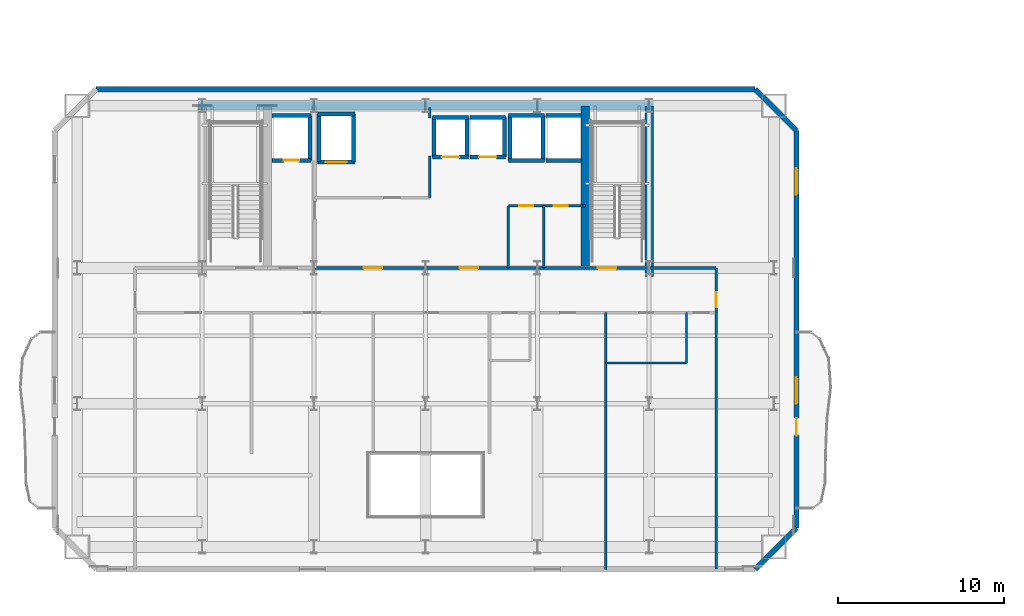
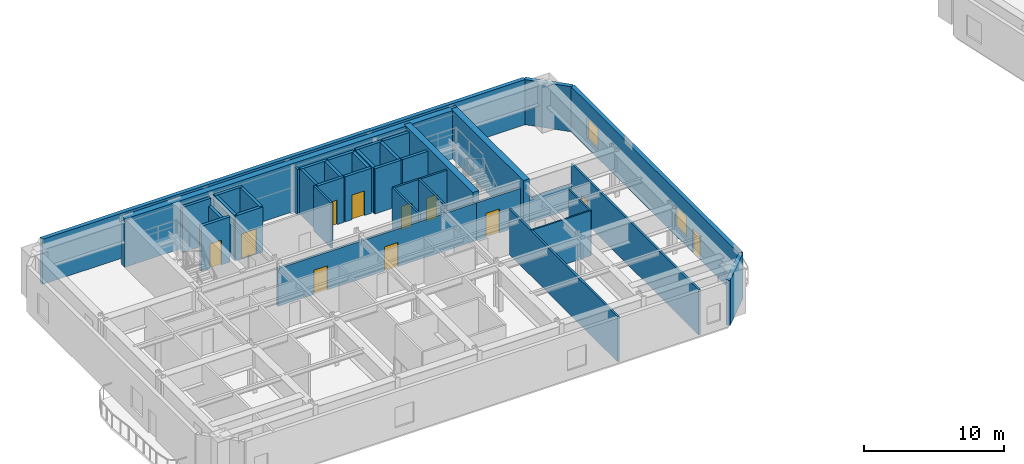
# One storey, part 8 of 15: 39 walls, 11 doors, 2 windows, 13 openings.
"""IFC4 building model written with IfcOpenShell, lengths in metres."""

from ifc_helpers import new_model, si_unit, direction, frame, frame_2d, origin, place, context, subcontext, project, spatial, rectangle, extrude, material, layer, layer_set, type_object, element, fill, save


model = new_model("IFC4")

# Units and contexts
model_context = context("Model", 3, precision=1e-05, world=origin(), true_north=direction((0.0, 1.0)))
body_context = subcontext(model_context, "Body", "Model", "MODEL_VIEW")
ifc_project = project(units=[si_unit("LENGTHUNIT", "METRE"), si_unit("AREAUNIT", "SQUARE_METRE"), si_unit("VOLUMEUNIT", "CUBIC_METRE"), si_unit("PLANEANGLEUNIT", "RADIAN"), si_unit("MASSUNIT", "GRAM", prefix="KILO")], contexts=[model_context])

# Site, building, storey
site_placement = place(None, origin())
site = spatial("IfcSite", under=ifc_project, at=site_placement, CompositionType="ELEMENT")
building_placement = place(site_placement, origin())
building = spatial("IfcBuilding", under=site, at=building_placement, Name="Haevon Station Towers", CompositionType="ELEMENT")
storey_placement = place(building_placement, frame((0.0, 0.0, 129.60009765625)))
storey = spatial("IfcBuildingStorey", under=building, at=storey_placement, Name="L35", CompositionType="ELEMENT", Elevation=129.60009765625)

# Wall, opening, door
ifc_material_1 = material(Name="Gypsum board on steel stud", Category="steel")
ifc_layer_1 = layer(ifc_material_1, 0.199951171875)
ifc_layer_set_1 = layer_set([ifc_layer_1], Name="Gypsum board on steel stud")
wall_type_1 = type_object("IfcWallType", Name="WL-COR200", PredefinedType="PARTITIONING", material=ifc_layer_set_1)
wall_1_placement = place(storey_placement, frame((47.14990234375, 38.199951171875, 0.0), z_axis=(0.0, 0.0, 1.0), x_axis=(1.0, 0.0, 0.0)))
wall_1 = element("IfcWall", 1, at=wall_1_placement, inside=storey, type_object=wall_type_1, Name="WL-ST-ST2-L35", PredefinedType="PARTITIONING", context=body_context, shape_type="SweptSolid", body=[
    extrude(rectangle(XDim=3.85009765625, YDim=0.199951171875, at=frame_2d((1.925048828125, 0.0))), origin(), (0.0, 0.0, 1.0), 3.27978515625),
])
opening_1_placement = place(wall_1_placement, frame((0.75, 0.0, 0.0)))
opening_1 = element("IfcOpeningElement", 2, at=opening_1_placement, cuts=wall_1, Name="Opening DR-ST-ST2-L35", PredefinedType="OPENING", context=body_context, shape_type="SweptSolid", body=[
    extrude(rectangle(XDim=1.1201171875, YDim=2.10009765625, at=frame_2d((0.56005859375, 1.050048828125))), frame((0.0, 0.10986328125, 0.0), z_axis=(0.0, -1.0, 0.0), x_axis=(1.0, 0.0, 0.0)), (0.0, 0.0, 1.0), 0.219970703125),
])
ifc_material_2 = material(Name="Engineered oak timber", Category="wood")
door_type_1 = type_object("IfcDoorType", Name="DR-ST-1120", OperationType="NOTDEFINED", PredefinedType="DOOR", material=ifc_material_2)
door_1_placement = place(opening_1_placement, origin())
door_1 = element("IfcDoor", 3, at=door_1_placement, inside=storey, type_object=door_type_1, Name="L35 Escape Stair ST2 Fire Door", OperationType="SINGLE_SWING_LEFT", OverallHeight=2.10009765625, OverallWidth=1.1201171875, PredefinedType="DOOR", context=body_context, shape_type="SweptSolid", body=[
    extrude(rectangle(XDim=1.1201171875, YDim=2.10009765625, at=frame_2d((0.56005859375, 1.050048828125))), frame((0.0, 0.02490234375, 0.0), z_axis=(0.0, -1.0, 0.0), x_axis=(1.0, 0.0, 0.0)), (0.0, 0.0, 1.0), 0.050048828125),
])
fill(opening_1, door_1)

# Wall, openings, doors
wall_2_placement = place(storey_placement, frame((30.800048828125, 38.199951171875, 0.0), z_axis=(0.0, 0.0, 1.0), x_axis=(1.0, 0.0, 0.0)))
wall_2 = element("IfcWall", 4, at=wall_2_placement, inside=storey, type_object=wall_type_1, Name="WL-T1CLB-L35", PredefinedType="PARTITIONING", context=body_context, shape_type="SweptSolid", body=[
    extrude(rectangle(XDim=16.349853515625, YDim=0.199951171875, at=frame_2d((8.1748046875, 0.0))), origin(), (0.0, 0.0, 1.0), 3.27978515625),
])
opening_2_placement = place(wall_2_placement, frame((2.949951171875, 0.0, 0.0)))
opening_2 = element("IfcOpeningElement", 5, at=opening_2_placement, cuts=wall_2, Name="Opening DR-T1CLB-L35-1", PredefinedType="OPENING", context=body_context, shape_type="SweptSolid", body=[
    extrude(rectangle(XDim=1.1201171875, YDim=2.10009765625, at=frame_2d((0.56005859375, 1.050048828125))), frame((0.0, 0.10986328125, 0.0), z_axis=(0.0, -1.0, 0.0), x_axis=(1.0, 0.0, 0.0)), (0.0, 0.0, 1.0), 0.219970703125),
])
opening_3_placement = place(wall_2_placement, frame((8.75, 0.0, 0.0)))
opening_3 = element("IfcOpeningElement", 6, at=opening_3_placement, cuts=wall_2, Name="Opening DR-T1CLB-L35-2", PredefinedType="OPENING", context=body_context, shape_type="SweptSolid", body=[
    extrude(rectangle(XDim=1.1201171875, YDim=2.10009765625, at=frame_2d((0.56005859375, 1.050048828125))), frame((0.0, 0.10986328125, 0.0), z_axis=(0.0, -1.0, 0.0), x_axis=(1.0, 0.0, 0.0)), (0.0, 0.0, 1.0), 0.219970703125),
])
door_2_placement = place(opening_2_placement, origin())
door_2 = element("IfcDoor", 7, at=door_2_placement, inside=storey, type_object=door_type_1, Name="L35 Tower 1 Core Lift Lobby Door 1", OperationType="SINGLE_SWING_RIGHT", OverallHeight=2.10009765625, OverallWidth=1.1201171875, PredefinedType="DOOR", context=body_context, shape_type="SweptSolid", body=[
    extrude(rectangle(XDim=1.1201171875, YDim=2.10009765625, at=frame_2d((0.56005859375, 1.050048828125))), frame((0.0, 0.02490234375, 0.0), z_axis=(0.0, -1.0, 0.0), x_axis=(1.0, 0.0, 0.0)), (0.0, 0.0, 1.0), 0.050048828125),
])
fill(opening_2, door_2)
door_3_placement = place(opening_3_placement, origin())
door_3 = element("IfcDoor", 8, at=door_3_placement, inside=storey, type_object=door_type_1, Name="L35 Tower 1 Core Lift Lobby Door 2", OperationType="SINGLE_SWING_LEFT", OverallHeight=2.10009765625, OverallWidth=1.1201171875, PredefinedType="DOOR", context=body_context, shape_type="SweptSolid", body=[
    extrude(rectangle(XDim=1.1201171875, YDim=2.10009765625, at=frame_2d((0.56005859375, 1.050048828125))), frame((0.0, 0.02490234375, 0.0), z_axis=(0.0, -1.0, 0.0), x_axis=(1.0, 0.0, 0.0)), (0.0, 0.0, 1.0), 0.050048828125),
])
fill(opening_3, door_3)

# Walls
ifc_material_3 = material(Name="Concrete C60/75", Category="concrete")
ifc_layer_2 = layer(ifc_material_3, 0.5)
ifc_layer_set_2 = layer_set([ifc_layer_2], Name="Concrete C60/75")
wall_type_2 = type_object("IfcWallType", Name="WL-CR500", PredefinedType="SHEAR", material=ifc_layer_set_2)
wall_3_placement = place(storey_placement, frame((23.75, 48.0, 0.0), z_axis=(0.0, 0.0, 1.0), x_axis=(1.0, 0.0, 0.0)))
element("IfcWall", 9, at=wall_3_placement, inside=storey, type_object=wall_type_2, Name="WL-T1CR-L35-N", PredefinedType="SHEAR", context=body_context, shape_type="SweptSolid", body=[
    extrude(rectangle(XDim=27.5, YDim=0.5, at=frame_2d((13.75, 0.0))), origin(), (0.0, 0.0, 1.0), 4.199951171875),
])
wall_4_placement = place(storey_placement, frame((51.0, 37.679931640625, 0.0), z_axis=(0.0, 0.0, 1.0), x_axis=(0.0, 1.0, 0.0)))
element("IfcWall", 10, at=wall_4_placement, inside=storey, type_object=wall_type_2, Name="WL-T1CR-L35-E", PredefinedType="SHEAR", context=body_context, shape_type="SweptSolid", body=[
    extrude(rectangle(XDim=10.320068359375, YDim=0.5, at=frame_2d((5.16015625, 0.0))), origin(), (0.0, 0.0, 1.0), 4.199951171875),
])
wall_5_placement = place(storey_placement, frame((47.14990234375, 38.199951171875, 0.0), z_axis=(0.0, 0.0, 1.0), x_axis=(0.0, 1.0, 0.0)))
element("IfcWall", 11, at=wall_5_placement, inside=storey, type_object=wall_type_2, Name="WL-T1CR-L35-M2", PredefinedType="SHEAR", context=body_context, shape_type="SweptSolid", body=[
    extrude(rectangle(XDim=9.800048828125, YDim=0.5, at=frame_2d((4.89990234375, 0.0))), origin(), (0.0, 0.0, 1.0), 4.199951171875),
])
ifc_material_4 = material(Name="Precast concrete C45/55", Category="concrete")
ifc_layer_3 = layer(ifc_material_4, 0.320068359375)
ifc_layer_set_3 = layer_set([ifc_layer_3], Name="Precast concrete C45/55")
wall_type_3 = type_object("IfcWallType", Name="WL-EXT-PIER320", PredefinedType="SOLIDWALL", material=ifc_layer_set_3)
wall_6_placement = place(storey_placement, frame((17.60009765625, 49.0, 0.0), z_axis=(0.0, 0.0, 1.0), x_axis=(1.0, 0.0, 0.0)))
element("IfcWall", 12, at=wall_6_placement, inside=storey, type_object=wall_type_3, Name="WL-T1-L35-N", PredefinedType="SOLIDWALL", context=body_context, shape_type="SweptSolid", body=[
    extrude(rectangle(XDim=39.7998046875, YDim=0.320068359375, at=frame_2d((19.89990234375, 0.0))), origin(), (0.0, 0.0, 1.0), 3.929931640625),
])
wall_7_placement = place(storey_placement, frame((57.39990234375, 49.0, 0.0), z_axis=(0.0, 0.0, 1.0), x_axis=(0.707106781187, -0.707106781187, 0.0)))
element("IfcWall", 13, at=wall_7_placement, inside=storey, type_object=wall_type_3, Name="WL-T1-L35-NEC", PredefinedType="SOLIDWALL", context=body_context, shape_type="SweptSolid", body=[
    extrude(rectangle(XDim=3.53564453125, YDim=0.320068359375, at=frame_2d((1.767822265625, 0.0))), origin(), (0.0, 0.0, 1.0), 3.929931640625),
])

# Wall, openings, door, windows
wall_8_placement = place(storey_placement, frame((59.89990234375, 46.5, 0.0), z_axis=(0.0, 0.0, 1.0), x_axis=(0.0, -1.0, 0.0)))
wall_8 = element("IfcWall", 14, at=wall_8_placement, inside=storey, type_object=wall_type_3, Name="WL-T1-L35-E", PredefinedType="SOLIDWALL", context=body_context, shape_type="SweptSolid", body=[
    extrude(rectangle(XDim=24.0, YDim=0.320068359375, at=frame_2d((12.0, 0.0))), origin(), (0.0, 0.0, 1.0), 3.929931640625),
])
opening_4_placement = place(wall_8_placement, frame((17.375, 0.0, 0.0)))
opening_4 = element("IfcOpeningElement", 15, at=opening_4_placement, cuts=wall_8, Name="Opening DR-T1-SCAL-L35-E", PredefinedType="OPENING", context=body_context, shape_type="SweptSolid", body=[
    extrude(rectangle(XDim=1.050048828125, YDim=2.10009765625, at=frame_2d((0.52490234375, 1.050048828125))), frame((0.0, 0.169921875, 0.0), z_axis=(0.0, -1.0, 0.0), x_axis=(1.0, 0.0, 0.0)), (0.0, 0.0, 1.0), 0.340087890625),
])
opening_5_placement = place(wall_8_placement, frame((2.28564453125, 0.0, 0.800048828125)))
opening_5 = element("IfcOpeningElement", 16, at=opening_5_placement, cuts=wall_8, Name="Opening WN-END160", PredefinedType="OPENING", context=body_context, shape_type="SweptSolid", body=[
    extrude(rectangle(XDim=1.60009765625, YDim=1.800048828125, at=frame_2d((0.800048828125, 0.89990234375))), frame((0.0, 0.169921875, 0.0), z_axis=(0.0, -1.0, 0.0), x_axis=(1.0, 0.0, 0.0)), (0.0, 0.0, 1.0), 0.340087890625),
])
opening_6_placement = place(wall_8_placement, frame((14.914306640625, 0.0, 0.800048828125)))
opening_6 = element("IfcOpeningElement", 17, at=opening_6_placement, cuts=wall_8, Name="Opening WN-END160", PredefinedType="OPENING", context=body_context, shape_type="SweptSolid", body=[
    extrude(rectangle(XDim=1.60009765625, YDim=1.800048828125, at=frame_2d((0.800048828125, 0.89990234375))), frame((0.0, 0.169921875, 0.0), z_axis=(0.0, -1.0, 0.0), x_axis=(1.0, 0.0, 0.0)), (0.0, 0.0, 1.0), 0.340087890625),
])
ifc_material_5 = material(Name="Thermally broken anodised aluminium and laminated safety glass", Category="aluminium")
door_type_2 = type_object("IfcDoorType", Name="DR-BALC-1050", OperationType="NOTDEFINED", PredefinedType="DOOR", material=ifc_material_5)
door_4_placement = place(opening_4_placement, origin())
door_4 = element("IfcDoor", 18, at=door_4_placement, inside=storey, type_object=door_type_2, Name="Tower 1 L35 East Scalloped Balcony Door", OperationType="SINGLE_SWING_LEFT", OverallHeight=2.10009765625, OverallWidth=1.050048828125, PredefinedType="DOOR", context=body_context, shape_type="SweptSolid", body=[
    extrude(rectangle(XDim=1.050048828125, YDim=2.10009765625, at=frame_2d((0.52490234375, 1.050048828125))), frame((0.0, 0.02490234375, 0.0), z_axis=(0.0, -1.0, 0.0), x_axis=(1.0, 0.0, 0.0)), (0.0, 0.0, 1.0), 0.050048828125),
])
fill(opening_4, door_4)
ifc_material_6 = material(Name="Low-E triple glazing in thermally broken aluminium", Category="aluminium")
window_type = type_object("IfcWindowType", Name="WN-END160", PartitioningType="SINGLE_PANEL", PredefinedType="WINDOW", material=ifc_material_6)
window_1_placement = place(opening_5_placement, origin())
window_1 = element("IfcWindow", 19, at=window_1_placement, inside=storey, type_object=window_type, Name="WN-T1-L35-E01", OverallHeight=1.800048828125, OverallWidth=1.60009765625, PartitioningType="SINGLE_PANEL", PredefinedType="WINDOW", context=body_context, shape_type="SweptSolid", body=[
    extrude(rectangle(XDim=1.60009765625, YDim=1.800048828125, at=frame_2d((0.800048828125, 0.89990234375))), frame((0.0, 0.030029296875, 0.0), z_axis=(0.0, -1.0, 0.0), x_axis=(1.0, 0.0, 0.0)), (0.0, 0.0, 1.0), 0.06005859375),
])
fill(opening_5, window_1)
window_2_placement = place(opening_6_placement, origin())
window_2 = element("IfcWindow", 20, at=window_2_placement, inside=storey, type_object=window_type, Name="WN-T1-L35-E02", OverallHeight=1.800048828125, OverallWidth=1.60009765625, PartitioningType="SINGLE_PANEL", PredefinedType="WINDOW", context=body_context, shape_type="SweptSolid", body=[
    extrude(rectangle(XDim=1.60009765625, YDim=1.800048828125, at=frame_2d((0.800048828125, 0.89990234375))), frame((0.0, 0.030029296875, 0.0), z_axis=(0.0, -1.0, 0.0), x_axis=(1.0, 0.0, 0.0)), (0.0, 0.0, 1.0), 0.06005859375),
])
fill(opening_6, window_2)

# Walls
wall_9_placement = place(storey_placement, frame((59.89990234375, 22.5, 0.0), z_axis=(0.0, 0.0, 1.0), x_axis=(-0.707106781187, -0.707106781187, 0.0)))
element("IfcWall", 21, at=wall_9_placement, inside=storey, type_object=wall_type_3, Name="WL-T1-L35-SEC", PredefinedType="SOLIDWALL", context=body_context, shape_type="SweptSolid", body=[
    extrude(rectangle(XDim=3.53564453125, YDim=0.320068359375, at=frame_2d((1.767822265625, 0.0))), origin(), (0.0, 0.0, 1.0), 3.929931640625),
])
ifc_layer_4 = layer(ifc_material_1, 0.125)
ifc_layer_set_4 = layer_set([ifc_layer_4], Name="Gypsum board on steel stud")
wall_type_4 = type_object("IfcWallType", Name="WL-PRT125", PredefinedType="PARTITIONING", material=ifc_layer_set_4)
wall_10_placement = place(storey_placement, frame((48.381103515625, 32.449951171875, 0.0), z_axis=(0.0, 0.0, 1.0), x_axis=(1.0, 0.0, 0.0)))
element("IfcWall", 22, at=wall_10_placement, inside=storey, type_object=wall_type_4, Name="WL-T1PT-L35-17", PredefinedType="PARTITIONING", context=body_context, shape_type="SweptSolid", body=[
    extrude(rectangle(XDim=4.888916015625, YDim=0.125, at=frame_2d((2.4443359375, 0.0))), origin(), (0.0, 0.0, 1.0), 3.929931640625),
])
wall_11_placement = place(storey_placement, frame((53.27001953125, 32.449951171875, 0.0), z_axis=(0.0, 0.0, 1.0), x_axis=(0.0, 1.0, 0.0)))
element("IfcWall", 23, at=wall_11_placement, inside=storey, type_object=wall_type_4, Name="WL-T1PT-L35-18", PredefinedType="PARTITIONING", context=body_context, shape_type="SweptSolid", body=[
    extrude(rectangle(XDim=3.050048828125, YDim=0.125, at=frame_2d((1.52490234375, 0.0))), origin(), (0.0, 0.0, 1.0), 3.929931640625),
])
ifc_layer_5 = layer(ifc_material_1, 0.159912109375)
ifc_layer_set_5 = layer_set([ifc_layer_5], Name="Gypsum board on steel stud")
wall_type_5 = type_object("IfcWallType", Name="WL-PRT160", PredefinedType="PARTITIONING", material=ifc_layer_set_5)
wall_12_placement = place(storey_placement, frame((37.75, 42.449951171875, 0.0), z_axis=(0.0, 0.0, 1.0), x_axis=(0.0, 1.0, 0.0)))
element("IfcWall", 24, at=wall_12_placement, inside=storey, type_object=wall_type_5, Name="WL-T1CW-L35-02", PredefinedType="PARTITIONING", context=body_context, shape_type="SweptSolid", body=[
    extrude(rectangle(XDim=2.5, YDim=0.159912109375, at=frame_2d((1.25, 0.0))), origin(), (0.0, 0.0, 1.0), 3.929931640625),
])
wall_13_placement = place(storey_placement, frame((37.75, 47.25, 0.0), z_axis=(0.0, 0.0, 1.0), x_axis=(0.0, 1.0, 0.0)))
element("IfcWall", 25, at=wall_13_placement, inside=storey, type_object=wall_type_5, Name="WL-T1CW-L35-03", PredefinedType="PARTITIONING", context=body_context, shape_type="SweptSolid", body=[
    extrude(rectangle(XDim=0.64990234375, YDim=0.159912109375, at=frame_2d((0.324951171875, 0.0))), origin(), (0.0, 0.0, 1.0), 3.929931640625),
])
for number, where, z_axis, x_axis, name in (
    (26, (42.5, 38.199951171875, 0.0), (0.0, 0.0, 1.0), (0.0, 1.0, 0.0), "WL-T1CW-L35-04"),
    (27, (44.6298828125, 38.199951171875, 0.0), (0.0, 0.0, 1.0), (0.0, 1.0, 0.0), "WL-T1CW-L35-05"),
):
    element("IfcWall", number, at=place(storey_placement, frame(where, z_axis=z_axis, x_axis=x_axis)), inside=storey, type_object=wall_type_5, Name=name, PredefinedType="PARTITIONING", context=body_context, shape_type="SweptSolid", body=[
        extrude(rectangle(XDim=3.75, YDim=0.159912109375, at=frame_2d((1.875, 0.0))), origin(), (0.0, 0.0, 1.0), 3.929931640625),
    ])

# Wall, openings, doors
wall_14_placement = place(storey_placement, frame((42.5, 41.949951171875, 0.0), z_axis=(0.0, 0.0, 1.0), x_axis=(1.0, 0.0, 0.0)))
wall_14 = element("IfcWall", 28, at=wall_14_placement, inside=storey, type_object=wall_type_5, Name="WL-T1CW-L35-06", PredefinedType="PARTITIONING", context=body_context, shape_type="SweptSolid", body=[
    extrude(rectangle(XDim=4.64990234375, YDim=0.159912109375, at=frame_2d((2.324951171875, 0.0))), origin(), (0.0, 0.0, 1.0), 3.929931640625),
])
opening_7_placement = place(wall_14_placement, frame((0.659912109375, 0.0, 0.0)))
opening_7 = element("IfcOpeningElement", 29, at=opening_7_placement, cuts=wall_14, Name="Opening DR-WL-T1CW-L35-06-1", PredefinedType="OPENING", context=body_context, shape_type="SweptSolid", body=[
    extrude(rectangle(XDim=0.85009765625, YDim=2.050048828125, at=frame_2d((0.425048828125, 1.02490234375))), frame((0.0, 0.08984375, 0.0), z_axis=(0.0, -1.0, 0.0), x_axis=(1.0, 0.0, 0.0)), (0.0, 0.0, 1.0), 0.179931640625),
])
opening_8_placement = place(wall_14_placement, frame((2.72998046875, 0.0, 0.0)))
opening_8 = element("IfcOpeningElement", 30, at=opening_8_placement, cuts=wall_14, Name="Opening DR-WL-T1CW-L35-06-2", PredefinedType="OPENING", context=body_context, shape_type="SweptSolid", body=[
    extrude(rectangle(XDim=0.85009765625, YDim=2.050048828125, at=frame_2d((0.425048828125, 1.02490234375))), frame((0.0, 0.08984375, 0.0), z_axis=(0.0, -1.0, 0.0), x_axis=(1.0, 0.0, 0.0)), (0.0, 0.0, 1.0), 0.179931640625),
])
door_type_3 = type_object("IfcDoorType", Name="DR-FD30-850", OperationType="NOTDEFINED", PredefinedType="DOOR", material=ifc_material_2)
door_5_placement = place(opening_7_placement, origin())
door_5 = element("IfcDoor", 31, at=door_5_placement, inside=storey, type_object=door_type_3, Name="L35 Tower 1 Core Room Door 6-1", OperationType="SINGLE_SWING_RIGHT", OverallHeight=2.050048828125, OverallWidth=0.85009765625, PredefinedType="DOOR", context=body_context, shape_type="SweptSolid", body=[
    extrude(rectangle(XDim=0.85009765625, YDim=2.050048828125, at=frame_2d((0.425048828125, 1.02490234375))), frame((0.0, 0.02490234375, 0.0), z_axis=(0.0, -1.0, 0.0), x_axis=(1.0, 0.0, 0.0)), (0.0, 0.0, 1.0), 0.050048828125),
])
fill(opening_7, door_5)
door_6_placement = place(opening_8_placement, origin())
door_6 = element("IfcDoor", 32, at=door_6_placement, inside=storey, type_object=door_type_3, Name="L35 Tower 1 Core Room Door 6-2", OperationType="SINGLE_SWING_LEFT", OverallHeight=2.050048828125, OverallWidth=0.85009765625, PredefinedType="DOOR", context=body_context, shape_type="SweptSolid", body=[
    extrude(rectangle(XDim=0.85009765625, YDim=2.050048828125, at=frame_2d((0.425048828125, 1.02490234375))), frame((0.0, 0.02490234375, 0.0), z_axis=(0.0, -1.0, 0.0), x_axis=(1.0, 0.0, 0.0)), (0.0, 0.0, 1.0), 0.050048828125),
])
fill(opening_8, door_6)

# Wall
wall_15_placement = place(storey_placement, frame((51.0, 38.199951171875, 0.0), z_axis=(0.0, 0.0, 1.0), x_axis=(1.0, 0.0, 0.0)))
element("IfcWall", 33, at=wall_15_placement, inside=storey, type_object=wall_type_5, Name="WL-T1PT-L35-02", PredefinedType="PARTITIONING", context=body_context, shape_type="SweptSolid", body=[
    extrude(rectangle(XDim=4.050048828125, YDim=0.159912109375, at=frame_2d((2.02490234375, 0.0))), origin(), (0.0, 0.0, 1.0), 2.1298828125),
])

# Wall, opening, door
wall_16_placement = place(storey_placement, frame((55.050048828125, 20.0, 0.0), z_axis=(0.0, 0.0, 1.0), x_axis=(0.0, 1.0, 0.0)))
wall_16 = element("IfcWall", 34, at=wall_16_placement, inside=storey, type_object=wall_type_5, Name="WL-T1PT-L35-04", PredefinedType="PARTITIONING", context=body_context, shape_type="SweptSolid", body=[
    extrude(rectangle(XDim=18.199951171875, YDim=0.159912109375, at=frame_2d((9.10009765625, 0.0))), origin(), (0.0, 0.0, 1.0), 3.929931640625),
])
opening_9_placement = place(wall_16_placement, frame((15.820068359375, 0.0, 0.0)))
opening_9 = element("IfcOpeningElement", 35, at=opening_9_placement, cuts=wall_16, Name="Opening DR-WL-T1PT-L35-04-01", PredefinedType="OPENING", context=body_context, shape_type="SweptSolid", body=[
    extrude(rectangle(XDim=0.89990234375, YDim=2.050048828125, at=frame_2d((0.449951171875, 1.02490234375))), frame((0.0, 0.08984375, 0.0), z_axis=(0.0, -1.0, 0.0), x_axis=(1.0, 0.0, 0.0)), (0.0, 0.0, 1.0), 0.179931640625),
])
door_type_4 = type_object("IfcDoorType", Name="DR-INT-900", OperationType="NOTDEFINED", PredefinedType="DOOR", material=ifc_material_2)
door_7_placement = place(opening_9_placement, origin())
door_7 = element("IfcDoor", 36, at=door_7_placement, inside=storey, type_object=door_type_4, Name="L35 Tower 1 Room Door 4-1", OperationType="SINGLE_SWING_LEFT", OverallHeight=2.050048828125, OverallWidth=0.89990234375, PredefinedType="DOOR", context=body_context, shape_type="SweptSolid", body=[
    extrude(rectangle(XDim=0.89990234375, YDim=2.050048828125, at=frame_2d((0.449951171875, 1.02490234375))), frame((0.0, 0.02490234375, 0.0), z_axis=(0.0, -1.0, 0.0), x_axis=(1.0, 0.0, 0.0)), (0.0, 0.0, 1.0), 0.050048828125),
])
fill(opening_9, door_7)

# Wall
wall_17_placement = place(storey_placement, frame((48.381103515625, 20.0, 0.0), z_axis=(0.0, 0.0, 1.0), x_axis=(0.0, 1.0, 0.0)))
element("IfcWall", 37, at=wall_17_placement, inside=storey, type_object=wall_type_5, Name="WL-T1PT-L35-16", PredefinedType="PARTITIONING", context=body_context, shape_type="SweptSolid", body=[
    extrude(rectangle(XDim=15.5, YDim=0.159912109375, at=frame_2d((7.75, 0.0))), origin(), (0.0, 0.0, 1.0), 3.929931640625),
])

# Wall, opening, door
ifc_material_7 = material(Name="Concrete C40/50", Category="concrete")
ifc_layer_6 = layer(ifc_material_7, 0.239990234375)
ifc_layer_set_6 = layer_set([ifc_layer_6], Name="Concrete C40/50")
wall_type_6 = type_object("IfcWallType", Name="WL-SHF240", PredefinedType="PARTITIONING", material=ifc_layer_set_6)
wall_18_placement = place(storey_placement, frame((28.219970703125, 44.699951171875, 0.0), z_axis=(0.0, 0.0, 1.0), x_axis=(1.0, 0.0, 0.0)))
wall_18 = element("IfcWall", 38, at=wall_18_placement, inside=storey, type_object=wall_type_6, Name="WL-SHF-FL1-L35", PredefinedType="PARTITIONING", context=body_context, shape_type="SweptSolid", body=[
    extrude(rectangle(XDim=2.360107421875, YDim=0.239990234375, at=frame_2d((1.18017578125, 0.0))), origin(), (0.0, 0.0, 1.0), 3.929931640625),
])
opening_10_placement = place(wall_18_placement, frame((0.705078125, 0.0, 0.0)))
opening_10 = element("IfcOpeningElement", 39, at=opening_10_placement, cuts=wall_18, Name="Opening LD-FL1-L35", PredefinedType="OPENING", context=body_context, shape_type="SweptSolid", body=[
    extrude(rectangle(XDim=0.949951171875, YDim=2.14990234375, at=frame_2d((0.47509765625, 1.074951171875))), frame((0.0, 0.1298828125, 0.0), z_axis=(0.0, -1.0, 0.0), x_axis=(1.0, 0.0, 0.0)), (0.0, 0.0, 1.0), 0.260009765625),
])
ifc_material_8 = material(Name="Stainless steel and rated core", Category="steel")
door_type_5 = type_object("IfcDoorType", Name="LD-FL950", OperationType="SLIDING_TO_LEFT", PredefinedType="DOOR", material=ifc_material_8)
door_8_placement = place(opening_10_placement, origin())
door_8 = element("IfcDoor", 40, at=door_8_placement, inside=storey, type_object=door_type_5, Name="L35 Lift FL1 Sliding Landing Door", OperationType="SLIDING_TO_LEFT", OverallHeight=2.14990234375, OverallWidth=0.949951171875, PredefinedType="DOOR", context=body_context, shape_type="SweptSolid", body=[
    extrude(rectangle(XDim=0.949951171875, YDim=2.14990234375, at=frame_2d((0.47509765625, 1.074951171875))), frame((0.0, 0.02490234375, 0.0), z_axis=(0.0, -1.0, 0.0), x_axis=(1.0, 0.0, 0.0)), (0.0, 0.0, 1.0), 0.050048828125),
])
fill(opening_10, door_8)

# Walls
wall_19_placement = place(storey_placement, frame((28.219970703125, 47.39990234375, 0.0), z_axis=(0.0, 0.0, 1.0), x_axis=(1.0, 0.0, 0.0)))
element("IfcWall", 41, at=wall_19_placement, inside=storey, type_object=wall_type_6, Name="WL-SHF-FL1-L35-N", PredefinedType="PARTITIONING", context=body_context, shape_type="SweptSolid", body=[
    extrude(rectangle(XDim=2.360107421875, YDim=0.239990234375, at=frame_2d((1.18017578125, 0.0))), origin(), (0.0, 0.0, 1.0), 3.929931640625),
])
wall_20_placement = place(storey_placement, frame((30.5, 44.699951171875, 0.0), z_axis=(0.0, 0.0, 1.0), x_axis=(0.0, 1.0, 0.0)))
element("IfcWall", 42, at=wall_20_placement, inside=storey, type_object=wall_type_6, Name="WL-SHF-FL1-L35-E", PredefinedType="PARTITIONING", context=body_context, shape_type="SweptSolid", body=[
    extrude(rectangle(XDim=2.699951171875, YDim=0.239990234375, at=frame_2d((1.35009765625, 0.0))), origin(), (0.0, 0.0, 1.0), 3.27978515625),
])

# Wall, opening, door
wall_21_placement = place(storey_placement, frame((30.969970703125, 44.60009765625, 0.0), z_axis=(0.0, 0.0, 1.0), x_axis=(1.0, 0.0, 0.0)))
wall_21 = element("IfcWall", 43, at=wall_21_placement, inside=storey, type_object=wall_type_6, Name="WL-SHF-SL1-L35", PredefinedType="PARTITIONING", context=body_context, shape_type="SweptSolid", body=[
    extrude(rectangle(XDim=2.260009765625, YDim=0.239990234375, at=frame_2d((1.1298828125, 0.0))), origin(), (0.0, 0.0, 1.0), 3.929931640625),
])
opening_11_placement = place(wall_21_placement, frame((0.5048828125, 0.0, 0.0)))
opening_11 = element("IfcOpeningElement", 44, at=opening_11_placement, cuts=wall_21, Name="Opening LD-SL1-L35", PredefinedType="OPENING", context=body_context, shape_type="SweptSolid", body=[
    extrude(rectangle(XDim=1.25, YDim=2.199951171875, at=frame_2d((0.625, 1.10009765625))), frame((0.0, 0.1298828125, 0.0), z_axis=(0.0, -1.0, 0.0), x_axis=(1.0, 0.0, 0.0)), (0.0, 0.0, 1.0), 0.260009765625),
])
door_type_6 = type_object("IfcDoorType", Name="LD-SL1250", OperationType="SLIDING_TO_LEFT", PredefinedType="DOOR", material=ifc_material_8)
door_9_placement = place(opening_11_placement, origin())
door_9 = element("IfcDoor", 45, at=door_9_placement, inside=storey, type_object=door_type_6, Name="L35 Lift SL1 Sliding Landing Door", OperationType="SLIDING_TO_LEFT", OverallHeight=2.199951171875, OverallWidth=1.25, PredefinedType="DOOR", context=body_context, shape_type="SweptSolid", body=[
    extrude(rectangle(XDim=1.25, YDim=2.199951171875, at=frame_2d((0.625, 1.10009765625))), frame((0.0, 0.02490234375, 0.0), z_axis=(0.0, -1.0, 0.0), x_axis=(1.0, 0.0, 0.0)), (0.0, 0.0, 1.0), 0.050048828125),
])
fill(opening_11, door_9)

# Walls
wall_22_placement = place(storey_placement, frame((30.969970703125, 47.5, 0.0), z_axis=(0.0, 0.0, 1.0), x_axis=(1.0, 0.0, 0.0)))
element("IfcWall", 46, at=wall_22_placement, inside=storey, type_object=wall_type_6, Name="WL-SHF-SL1-L35-N", PredefinedType="PARTITIONING", context=body_context, shape_type="SweptSolid", body=[
    extrude(rectangle(XDim=2.260009765625, YDim=0.239990234375, at=frame_2d((1.1298828125, 0.0))), origin(), (0.0, 0.0, 1.0), 3.929931640625),
])
for number, where, z_axis, x_axis, name in (
    (47, (31.050048828125, 44.60009765625, 0.0), (0.0, 0.0, 1.0), (0.0, 1.0, 0.0), "WL-SHF-SL1-L35-W"),
    (48, (33.14990234375, 44.60009765625, 0.0), (0.0, 0.0, 1.0), (0.0, 1.0, 0.0), "WL-SHF-SL1-L35-E"),
):
    element("IfcWall", number, at=place(storey_placement, frame(where, z_axis=z_axis, x_axis=x_axis)), inside=storey, type_object=wall_type_6, Name=name, PredefinedType="PARTITIONING", context=body_context, shape_type="SweptSolid", body=[
        extrude(rectangle(XDim=2.89990234375, YDim=0.239990234375, at=frame_2d((1.449951171875, 0.0))), origin(), (0.0, 0.0, 1.0), 3.929931640625),
    ])

# Wall, opening, door
wall_23_placement = place(storey_placement, frame((37.919921875, 44.89990234375, 0.0), z_axis=(0.0, 0.0, 1.0), x_axis=(1.0, 0.0, 0.0)))
wall_23 = element("IfcWall", 49, at=wall_23_placement, inside=storey, type_object=wall_type_6, Name="WL-SHF-PL3-L35", PredefinedType="PARTITIONING", context=body_context, shape_type="SweptSolid", body=[
    extrude(rectangle(XDim=2.16015625, YDim=0.239990234375, at=frame_2d((1.080078125, 0.0))), origin(), (0.0, 0.0, 1.0), 3.929931640625),
])
opening_12_placement = place(wall_23_placement, frame((0.554931640625, 0.0, 0.0)))
opening_12 = element("IfcOpeningElement", 50, at=opening_12_placement, cuts=wall_23, Name="Opening LD-PL3-L35", PredefinedType="OPENING", context=body_context, shape_type="SweptSolid", body=[
    extrude(rectangle(XDim=1.050048828125, YDim=2.14990234375, at=frame_2d((0.52490234375, 1.074951171875))), frame((0.0, 0.1298828125, 0.0), z_axis=(0.0, -1.0, 0.0), x_axis=(1.0, 0.0, 0.0)), (0.0, 0.0, 1.0), 0.260009765625),
])
door_type_7 = type_object("IfcDoorType", Name="LD-PL1050", OperationType="SLIDING_TO_LEFT", PredefinedType="DOOR", material=ifc_material_8)
door_10_placement = place(opening_12_placement, origin())
door_10 = element("IfcDoor", 51, at=door_10_placement, inside=storey, type_object=door_type_7, Name="L35 Lift PL3 Sliding Landing Door", OperationType="SLIDING_TO_LEFT", OverallHeight=2.14990234375, OverallWidth=1.050048828125, PredefinedType="DOOR", context=body_context, shape_type="SweptSolid", body=[
    extrude(rectangle(XDim=1.050048828125, YDim=2.14990234375, at=frame_2d((0.52490234375, 1.074951171875))), frame((0.0, 0.02490234375, 0.0), z_axis=(0.0, -1.0, 0.0), x_axis=(1.0, 0.0, 0.0)), (0.0, 0.0, 1.0), 0.050048828125),
])
fill(opening_12, door_10)

# Walls
wall_24_placement = place(storey_placement, frame((37.919921875, 47.300048828125, 0.0), z_axis=(0.0, 0.0, 1.0), x_axis=(1.0, 0.0, 0.0)))
element("IfcWall", 52, at=wall_24_placement, inside=storey, type_object=wall_type_6, Name="WL-SHF-PL3-L35-N", PredefinedType="PARTITIONING", context=body_context, shape_type="SweptSolid", body=[
    extrude(rectangle(XDim=2.16015625, YDim=0.239990234375, at=frame_2d((1.080078125, 0.0))), origin(), (0.0, 0.0, 1.0), 3.929931640625),
])
for number, where, z_axis, x_axis, name in (
    (53, (38.0, 44.89990234375, 0.0), (0.0, 0.0, 1.0), (0.0, 1.0, 0.0), "WL-SHF-PL3-L35-W"),
    (54, (40.0, 44.89990234375, 0.0), (0.0, 0.0, 1.0), (0.0, 1.0, 0.0), "WL-SHF-PL3-L35-E"),
):
    element("IfcWall", number, at=place(storey_placement, frame(where, z_axis=z_axis, x_axis=x_axis)), inside=storey, type_object=wall_type_6, Name=name, PredefinedType="PARTITIONING", context=body_context, shape_type="SweptSolid", body=[
        extrude(rectangle(XDim=2.400146484375, YDim=0.239990234375, at=frame_2d((1.2001953125, 0.0))), origin(), (0.0, 0.0, 1.0), 3.929931640625),
    ])

# Wall, opening, door
wall_25_placement = place(storey_placement, frame((40.169921875, 44.89990234375, 0.0), z_axis=(0.0, 0.0, 1.0), x_axis=(1.0, 0.0, 0.0)))
wall_25 = element("IfcWall", 55, at=wall_25_placement, inside=storey, type_object=wall_type_6, Name="WL-SHF-PL4-L35", PredefinedType="PARTITIONING", context=body_context, shape_type="SweptSolid", body=[
    extrude(rectangle(XDim=2.16015625, YDim=0.239990234375, at=frame_2d((1.080078125, 0.0))), origin(), (0.0, 0.0, 1.0), 3.929931640625),
])
opening_13_placement = place(wall_25_placement, frame((0.554931640625, 0.0, 0.0)))
opening_13 = element("IfcOpeningElement", 56, at=opening_13_placement, cuts=wall_25, Name="Opening LD-PL4-L35", PredefinedType="OPENING", context=body_context, shape_type="SweptSolid", body=[
    extrude(rectangle(XDim=1.050048828125, YDim=2.14990234375, at=frame_2d((0.52490234375, 1.074951171875))), frame((0.0, 0.1298828125, 0.0), z_axis=(0.0, -1.0, 0.0), x_axis=(1.0, 0.0, 0.0)), (0.0, 0.0, 1.0), 0.260009765625),
])
door_11_placement = place(opening_13_placement, origin())
door_11 = element("IfcDoor", 57, at=door_11_placement, inside=storey, type_object=door_type_7, Name="L35 Lift PL4 Sliding Landing Door", OperationType="SLIDING_TO_LEFT", OverallHeight=2.14990234375, OverallWidth=1.050048828125, PredefinedType="DOOR", context=body_context, shape_type="SweptSolid", body=[
    extrude(rectangle(XDim=1.050048828125, YDim=2.14990234375, at=frame_2d((0.52490234375, 1.074951171875))), frame((0.0, 0.02490234375, 0.0), z_axis=(0.0, -1.0, 0.0), x_axis=(1.0, 0.0, 0.0)), (0.0, 0.0, 1.0), 0.050048828125),
])
fill(opening_13, door_11)

# Walls
wall_26_placement = place(storey_placement, frame((40.169921875, 47.300048828125, 0.0), z_axis=(0.0, 0.0, 1.0), x_axis=(1.0, 0.0, 0.0)))
element("IfcWall", 58, at=wall_26_placement, inside=storey, type_object=wall_type_6, Name="WL-SHF-PL4-L35-N", PredefinedType="PARTITIONING", context=body_context, shape_type="SweptSolid", body=[
    extrude(rectangle(XDim=2.16015625, YDim=0.239990234375, at=frame_2d((1.080078125, 0.0))), origin(), (0.0, 0.0, 1.0), 3.929931640625),
])
wall_27_placement = place(storey_placement, frame((42.25, 44.89990234375, 0.0), z_axis=(0.0, 0.0, 1.0), x_axis=(0.0, 1.0, 0.0)))
element("IfcWall", 59, at=wall_27_placement, inside=storey, type_object=wall_type_6, Name="WL-SHF-PL4-L35-E", PredefinedType="PARTITIONING", context=body_context, shape_type="SweptSolid", body=[
    extrude(rectangle(XDim=2.400146484375, YDim=0.239990234375, at=frame_2d((1.2001953125, 0.0))), origin(), (0.0, 0.0, 1.0), 3.929931640625),
])
for number, where, z_axis, x_axis, name in (
    (60, (42.52001953125, 44.699951171875, 0.0), (0.0, 0.0, 1.0), (1.0, 0.0, 0.0), "WL-SHF-PL5-L35"),
    (61, (42.52001953125, 47.39990234375, 0.0), (0.0, 0.0, 1.0), (1.0, 0.0, 0.0), "WL-SHF-PL5-L35-N"),
):
    element("IfcWall", number, at=place(storey_placement, frame(where, z_axis=z_axis, x_axis=x_axis)), inside=storey, type_object=wall_type_6, Name=name, PredefinedType="PARTITIONING", context=body_context, shape_type="SweptSolid", body=[
        extrude(rectangle(XDim=2.159912109375, YDim=0.239990234375, at=frame_2d((1.080078125, 0.0))), origin(), (0.0, 0.0, 1.0), 3.929931640625),
    ])
for number, where, z_axis, x_axis, name in (
    (62, (42.60009765625, 44.699951171875, 0.0), (0.0, 0.0, 1.0), (0.0, 1.0, 0.0), "WL-SHF-PL5-L35-W"),
    (63, (44.60009765625, 44.699951171875, 0.0), (0.0, 0.0, 1.0), (0.0, 1.0, 0.0), "WL-SHF-PL5-L35-E"),
):
    element("IfcWall", number, at=place(storey_placement, frame(where, z_axis=z_axis, x_axis=x_axis)), inside=storey, type_object=wall_type_6, Name=name, PredefinedType="PARTITIONING", context=body_context, shape_type="SweptSolid", body=[
        extrude(rectangle(XDim=2.699951171875, YDim=0.239990234375, at=frame_2d((1.35009765625, 0.0))), origin(), (0.0, 0.0, 1.0), 3.929931640625),
    ])
for number, where, z_axis, x_axis, name in (
    (64, (44.77001953125, 44.699951171875, 0.0), (0.0, 0.0, 1.0), (1.0, 0.0, 0.0), "WL-SHF-PL6-L35"),
    (65, (44.77001953125, 47.39990234375, 0.0), (0.0, 0.0, 1.0), (1.0, 0.0, 0.0), "WL-SHF-PL6-L35-N"),
):
    element("IfcWall", number, at=place(storey_placement, frame(where, z_axis=z_axis, x_axis=x_axis)), inside=storey, type_object=wall_type_6, Name=name, PredefinedType="PARTITIONING", context=body_context, shape_type="SweptSolid", body=[
        extrude(rectangle(XDim=2.159912109375, YDim=0.239990234375, at=frame_2d((1.080078125, 0.0))), origin(), (0.0, 0.0, 1.0), 3.929931640625),
    ])

save(model, "model.ifc")
